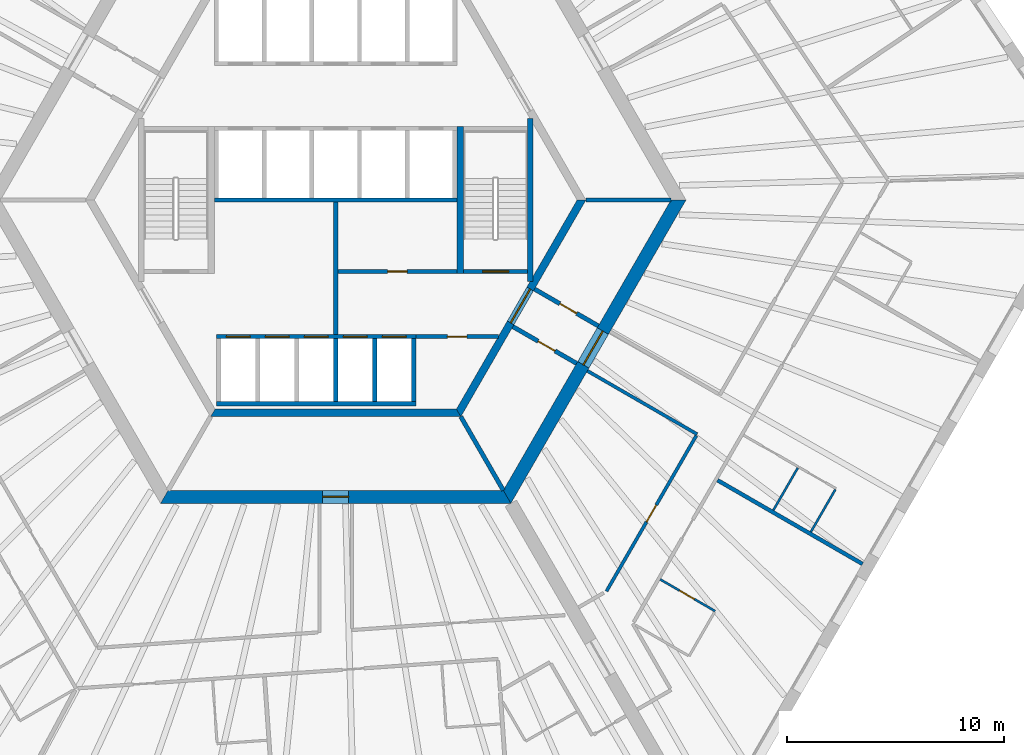
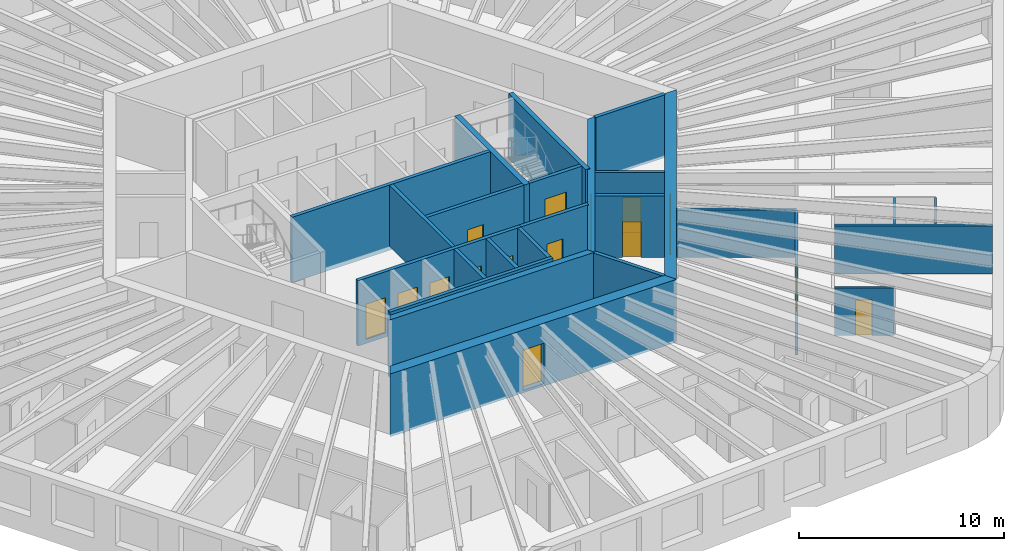
# One storey, part 5 of 12: 26 walls, 15 doors, 15 openings.
"""IFC4 building model written with IfcOpenShell, lengths in metres."""

from ifc_helpers import new_model, si_unit, direction, frame, frame_2d, origin, place, context, subcontext, project, spatial, polyline, rectangle, outline, extrude, material, layer, layer_set, type_object, element, fill, save


model = new_model("IFC4")

# Units and contexts
model_context = context("Model", 3, precision=1e-05, world=origin(), true_north=direction((0.0, 1.0)))
body_context = subcontext(model_context, "Body", "Model", "MODEL_VIEW")
ifc_project = project(units=[si_unit("LENGTHUNIT", "METRE"), si_unit("AREAUNIT", "SQUARE_METRE"), si_unit("VOLUMEUNIT", "CUBIC_METRE"), si_unit("PLANEANGLEUNIT", "RADIAN"), si_unit("MASSUNIT", "GRAM", prefix="KILO")], contexts=[model_context])

# Site, building, storey
site_placement = place(None, origin())
site = spatial("IfcSite", under=ifc_project, at=site_placement, CompositionType="ELEMENT")
building_placement = place(site_placement, origin())
building = spatial("IfcBuilding", under=site, at=building_placement, Name="Tarnside Tower", CompositionType="ELEMENT")
storey_placement = place(building_placement, frame((0.0, 0.0, 142.800048828125)))
storey = spatial("IfcBuildingStorey", under=building, at=storey_placement, Name="L33", CompositionType="ELEMENT", Elevation=142.800048828125)

# Wall, opening, door
ifc_material_1 = material(Name="Gypsum board partition on steel studs", Category="steel")
ifc_layer_1 = layer(ifc_material_1, 0.10009765625)
ifc_layer_set_1 = layer_set([ifc_layer_1], Name="Bathroom wall 100")
wall_type_1 = type_object("IfcWallType", Name="Bathroom wall 100", PredefinedType="PARTITIONING", material=ifc_layer_set_1)
wall_1_placement = place(storey_placement, frame((14.97705078125, -17.509033203125, 0.0), z_axis=(0.0, 0.0, 1.0), x_axis=(0.866046596414, -0.499963291492, 0.0)))
wall_1 = element("IfcWall", 1, at=wall_1_placement, inside=storey, type_object=wall_type_1, Name="Bathroom wall 10132", PredefinedType="PARTITIONING", context=body_context, shape_type="SweptSolid", body=[
    extrude(rectangle(XDim=2.925048828125, YDim=0.10009765625, at=frame_2d((1.46240234375, 0.0))), origin(), (0.0, 0.0, 1.0), 2.837646484375),
])
opening_1_placement = place(wall_1_placement, frame((1.02490234375, 0.0, 0.0)))
opening_1 = element("IfcOpeningElement", 2, at=opening_1_placement, cuts=wall_1, Name="Opening D-B1", PredefinedType="OPENING", context=body_context, shape_type="SweptSolid", body=[
    extrude(rectangle(XDim=0.800048828125, YDim=2.10009765625, at=frame_2d((0.39990234375, 1.050048828125))), frame((0.0, 0.06005859375, 0.0), z_axis=(0.0, -1.0, 0.0), x_axis=(1.0, 0.0, 0.0)), (0.0, 0.0, 1.0), 0.1201171875),
])
ifc_material_2 = material(Name="Timber door leaf", Category="wood")
door_type_1 = type_object("IfcDoorType", Name="Bathroom door 800", OperationType="NOTDEFINED", PredefinedType="DOOR", material=ifc_material_2)
door_1_placement = place(opening_1_placement, origin())
door_1 = element("IfcDoor", 3, at=door_1_placement, inside=storey, type_object=door_type_1, Name="Bathroom door 10030", OperationType="SINGLE_SWING_RIGHT", OverallHeight=2.10009765625, OverallWidth=0.800048828125, PredefinedType="DOOR", context=body_context, shape_type="SweptSolid", body=[
    extrude(rectangle(XDim=0.800048828125, YDim=2.10009765625, at=frame_2d((0.39990234375, 1.050048828125))), frame((0.0, 0.02490234375, 0.0), z_axis=(0.0, -1.0, 0.0), x_axis=(1.0, 0.0, 0.0)), (0.0, 0.0, 1.0), 0.050048828125),
])
fill(opening_1, door_1)

# Walls
wall_2_placement = place(storey_placement, frame((20.197998046875, -14.31591796875, 0.0), z_axis=(0.0, 0.0, 1.0), x_axis=(0.500031020067, 0.8660074936, 0.0)))
element("IfcWall", 4, at=wall_2_placement, inside=storey, type_object=wall_type_1, Name="Bathroom wall 10143", PredefinedType="PARTITIONING", context=body_context, shape_type="SweptSolid", body=[
    extrude(rectangle(XDim=2.260009765625, YDim=0.10009765625, at=frame_2d((1.1298828125, 0.0))), origin(), (0.0, 0.0, 1.0), 2.837646484375),
])
ifc_material_3 = material(Name="Concrete C50/60", Category="concrete")
ifc_layer_2 = layer(ifc_material_3, 0.35009765625)
ifc_layer_set_2 = layer_set([ifc_layer_2], Name="Core block wall 350 C50/60")
wall_type_2 = type_object("IfcWallType", Name="Core block wall 350 C50/60", PredefinedType="SHEAR", material=ifc_layer_set_2)
wall_3_placement = place(storey_placement, frame((-5.672607421875, -9.824951171875, -0.150146484375), z_axis=(0.0, 0.0, 1.0), x_axis=(1.0, 0.0, 0.0)))
element("IfcWall", 5, at=wall_3_placement, inside=storey, type_object=wall_type_2, Name="L33 core block wall face 4", PredefinedType="SHEAR", context=body_context, shape_type="SweptSolid", body=[
    extrude(outline(polyline([(-0.10107421875, -0.175048828125), (11.4462890625, -0.175048828125), (11.244140625, 0.175048828125), (0.10107421875, 0.175048828125), (-0.10107421875, -0.175048828125)])), origin(), (0.0, 0.0, 1.0), 3.75),
])

# Wall, opening, door
wall_4_placement = place(storey_placement, frame((5.672607421875, -9.824951171875, -0.150146484375), z_axis=(0.0, 0.0, 1.0), x_axis=(0.499995046907, 0.866028263435, 0.0)))
wall_4 = element("IfcWall", 6, at=wall_4_placement, inside=storey, type_object=wall_type_2, Name="L33 core block wall face 5", PredefinedType="SHEAR", context=body_context, shape_type="SweptSolid", body=[
    extrude(outline(polyline([(-0.10107421875, -0.175048828125), (11.44580078125, -0.175048828125), (11.24365234375, 0.175048828125), (0.10107421875, 0.175048828125), (-0.10107421875, -0.175048828125)])), origin(), (0.0, 0.0, 1.0), 3.75),
])
opening_2_placement = place(wall_4_placement, frame((4.80126953125, 0.0, 0.14990234375)))
opening_2 = element("IfcOpeningElement", 7, at=opening_2_placement, cuts=wall_4, Name="Opening CD-FFL", PredefinedType="OPENING", context=body_context, shape_type="SweptSolid", body=[
    extrude(rectangle(XDim=1.800048828125, YDim=2.39990234375, at=frame_2d((0.89990234375, 1.199951171875))), frame((0.0, 0.18505859375, 0.0), z_axis=(0.0, -1.0, 0.0), x_axis=(1.0, 0.0, 0.0)), (0.0, 0.0, 1.0), 0.3701171875),
])
ifc_material_4 = material(Name="Steel fire door", Category="steel")
door_type_2 = type_object("IfcDoorType", Name="Firefighting lobby double door FD60S 1800x2400", OperationType="NOTDEFINED", PredefinedType="DOOR", material=ifc_material_4)
door_2_placement = place(opening_2_placement, origin())
door_2 = element("IfcDoor", 8, at=door_2_placement, inside=storey, type_object=door_type_2, Name="L33 lobby block door P4", OperationType="DOUBLE_DOOR_SINGLE_SWING", OverallHeight=2.39990234375, OverallWidth=1.800048828125, PredefinedType="DOOR", context=body_context, shape_type="SweptSolid", body=[
    extrude(rectangle(XDim=1.800048828125, YDim=2.39990234375, at=frame_2d((0.89990234375, 1.199951171875))), frame((0.0, 0.02490234375, 0.0), z_axis=(0.0, -1.0, 0.0), x_axis=(1.0, 0.0, 0.0)), (0.0, 0.0, 1.0), 0.050048828125),
])
fill(opening_2, door_2)

ifc_material_5 = material(Name="Concrete C40/50", Category="concrete")
ifc_layer_3 = layer(ifc_material_5, 0.199951171875)
ifc_layer_set_3 = layer_set([ifc_layer_3], Name="Core room partition 200 C40/50")
wall_type_3 = type_object("IfcWallType", Name="Core room partition 200 C40/50", PredefinedType="PARTITIONING", material=ifc_layer_set_3)
wall_5_placement = place(storey_placement, frame((0.10009765625, -3.300048828125, 0.0), z_axis=(0.0, 0.0, 1.0), x_axis=(1.0, 0.0, 0.0)))
wall_5 = element("IfcWall", 9, at=wall_5_placement, inside=storey, type_object=wall_type_3, Name="L33 core partition R3S1", PredefinedType="PARTITIONING", context=body_context, shape_type="SweptSolid", body=[
    extrude(rectangle(XDim=5.5, YDim=0.199951171875, at=frame_2d((2.75, 0.0))), origin(), (0.0, 0.0, 1.0), 3.64990234375),
])
opening_3_placement = place(wall_5_placement, frame((2.300048828125, 0.0, 0.0)))
opening_3 = element("IfcOpeningElement", 10, at=opening_3_placement, cuts=wall_5, Name="Opening CD-room", PredefinedType="OPENING", context=body_context, shape_type="SweptSolid", body=[
    extrude(rectangle(XDim=0.89990234375, YDim=2.10009765625, at=frame_2d((0.449951171875, 1.050048828125))), frame((0.0, 0.10986328125, 0.0), z_axis=(0.0, -1.0, 0.0), x_axis=(1.0, 0.0, 0.0)), (0.0, 0.0, 1.0), 0.219970703125),
])
door_type_3 = type_object("IfcDoorType", Name="Room door FD60 900x2100", OperationType="NOTDEFINED", PredefinedType="DOOR", material=ifc_material_4)
door_3_placement = place(opening_3_placement, origin())
door_3 = element("IfcDoor", 11, at=door_3_placement, inside=storey, type_object=door_type_3, Name="L33 core room door SR1", OperationType="SINGLE_SWING_LEFT", OverallHeight=2.10009765625, OverallWidth=0.89990234375, PredefinedType="DOOR", context=body_context, shape_type="SweptSolid", body=[
    extrude(rectangle(XDim=0.89990234375, YDim=2.10009765625, at=frame_2d((0.449951171875, 1.050048828125))), frame((0.0, 0.02490234375, 0.0), z_axis=(0.0, -1.0, 0.0), x_axis=(1.0, 0.0, 0.0)), (0.0, 0.0, 1.0), 0.050048828125),
])
fill(opening_3, door_3)

# Wall
wall_6_placement = place(storey_placement, frame((0.0, -6.199951171875, 0.0), z_axis=(0.0, 0.0, 1.0), x_axis=(0.0, 1.0, 0.0)))
element("IfcWall", 12, at=wall_6_placement, inside=storey, type_object=wall_type_3, Name="L33 core partition X0", PredefinedType="PARTITIONING", context=body_context, shape_type="SweptSolid", body=[
    extrude(rectangle(XDim=6.099853515625, YDim=0.199951171875, at=frame_2d((3.0498046875, 0.0))), origin(), (0.0, 0.0, 1.0), 3.64990234375),
])

# Wall, opening, door
wall_7_placement = place(storey_placement, frame((3.699951171875, -6.300048828125, 0.0), z_axis=(0.0, 0.0, 1.0), x_axis=(1.0, 0.0, 0.0)))
wall_7 = element("IfcWall", 13, at=wall_7_placement, inside=storey, type_object=wall_type_3, Name="L33 core partition R4X", PredefinedType="PARTITIONING", context=body_context, shape_type="SweptSolid", body=[
    extrude(rectangle(XDim=3.8056640625, YDim=0.199951171875, at=frame_2d((1.90283203125, 0.0))), origin(), (0.0, 0.0, 1.0), 3.64990234375),
])
opening_4_placement = place(wall_7_placement, frame((1.452880859375, 0.0, 0.0)))
opening_4 = element("IfcOpeningElement", 14, at=opening_4_placement, cuts=wall_7, Name="Opening CD-room", PredefinedType="OPENING", context=body_context, shape_type="SweptSolid", body=[
    extrude(rectangle(XDim=0.89990234375, YDim=2.10009765625, at=frame_2d((0.449951171875, 1.050048828125))), frame((0.0, 0.10986328125, 0.0), z_axis=(0.0, -1.0, 0.0), x_axis=(1.0, 0.0, 0.0)), (0.0, 0.0, 1.0), 0.219970703125),
])
door_4_placement = place(opening_4_placement, origin())
door_4 = element("IfcDoor", 15, at=door_4_placement, inside=storey, type_object=door_type_3, Name="L33 core room door RX", OperationType="SINGLE_SWING_LEFT", OverallHeight=2.10009765625, OverallWidth=0.89990234375, PredefinedType="DOOR", context=body_context, shape_type="SweptSolid", body=[
    extrude(rectangle(XDim=0.89990234375, YDim=2.10009765625, at=frame_2d((0.449951171875, 1.050048828125))), frame((0.0, 0.02490234375, 0.0), z_axis=(0.0, -1.0, 0.0), x_axis=(1.0, 0.0, 0.0)), (0.0, 0.0, 1.0), 0.050048828125),
])
fill(opening_4, door_4)

wall_8_placement = place(storey_placement, frame((9.1748046875, -4.10888671875, 0.0), z_axis=(0.0, 0.0, 1.0), x_axis=(0.865989465428, -0.500062241894, 0.0)))
wall_8 = element("IfcWall", 16, at=wall_8_placement, inside=storey, type_object=wall_type_3, Name="L33 core partition AC4L", PredefinedType="PARTITIONING", context=body_context, shape_type="SweptSolid", body=[
    extrude(rectangle(XDim=3.39990234375, YDim=0.199951171875, at=frame_2d((1.699951171875, 0.0))), origin(), (0.0, 0.0, 1.0), 3.64990234375),
])
opening_5_placement = place(wall_8_placement, frame((1.3505859375, 0.0, 0.0)))
opening_5 = element("IfcOpeningElement", 17, at=opening_5_placement, cuts=wall_8, Name="Opening CD-room", PredefinedType="OPENING", context=body_context, shape_type="SweptSolid", body=[
    extrude(rectangle(XDim=0.89990234375, YDim=2.10009765625, at=frame_2d((0.449951171875, 1.050048828125))), frame((0.0, 0.10986328125, 0.0), z_axis=(0.0, -1.0, 0.0), x_axis=(1.0, 0.0, 0.0)), (0.0, 0.0, 1.0), 0.219970703125),
])
door_5_placement = place(opening_5_placement, origin())
door_5 = element("IfcDoor", 18, at=door_5_placement, inside=storey, type_object=door_type_3, Name="L33 core room door AX4L", OperationType="SINGLE_SWING_LEFT", OverallHeight=2.10009765625, OverallWidth=0.89990234375, PredefinedType="DOOR", context=body_context, shape_type="SweptSolid", body=[
    extrude(rectangle(XDim=0.89990234375, YDim=2.10009765625, at=frame_2d((0.449951171875, 1.050048828125))), frame((0.0, 0.02490234375, 0.0), z_axis=(0.0, -1.0, 0.0), x_axis=(1.0, 0.0, 0.0)), (0.0, 0.0, 1.0), 0.050048828125),
])
fill(opening_5, door_5)

wall_9_placement = place(storey_placement, frame((8.1748046875, -5.841064453125, 0.0), z_axis=(0.0, 0.0, 1.0), x_axis=(0.866020560687, -0.500008388397, 0.0)))
wall_9 = element("IfcWall", 19, at=wall_9_placement, inside=storey, type_object=wall_type_3, Name="L33 core partition AC4R", PredefinedType="PARTITIONING", context=body_context, shape_type="SweptSolid", body=[
    extrude(rectangle(XDim=3.39990234375, YDim=0.199951171875, at=frame_2d((1.699951171875, 0.0))), origin(), (0.0, 0.0, 1.0), 3.64990234375),
])
opening_6_placement = place(wall_9_placement, frame((1.349609375, 0.0, 0.0)))
opening_6 = element("IfcOpeningElement", 20, at=opening_6_placement, cuts=wall_9, Name="Opening CD-room", PredefinedType="OPENING", context=body_context, shape_type="SweptSolid", body=[
    extrude(rectangle(XDim=0.89990234375, YDim=2.10009765625, at=frame_2d((0.449951171875, 1.050048828125))), frame((0.0, 0.10986328125, 0.0), z_axis=(0.0, -1.0, 0.0), x_axis=(1.0, 0.0, 0.0)), (0.0, 0.0, 1.0), 0.219970703125),
])
door_6_placement = place(opening_6_placement, origin())
door_6 = element("IfcDoor", 21, at=door_6_placement, inside=storey, type_object=door_type_3, Name="L33 core room door AX4R", OperationType="SINGLE_SWING_LEFT", OverallHeight=2.10009765625, OverallWidth=0.89990234375, PredefinedType="DOOR", context=body_context, shape_type="SweptSolid", body=[
    extrude(rectangle(XDim=0.89990234375, YDim=2.10009765625, at=frame_2d((0.449951171875, 1.050048828125))), frame((0.0, 0.02490234375, 0.0), z_axis=(0.0, -1.0, 0.0), x_axis=(1.0, 0.0, 0.0)), (0.0, 0.0, 1.0), 0.050048828125),
])
fill(opening_6, door_6)

ifc_material_6 = material(Name="Concrete C80/95", Category="concrete")
ifc_layer_4 = layer(ifc_material_6, 0.60009765625)
ifc_layer_set_4 = layer_set([ifc_layer_4], Name="Core wall Z1 600 C80/95")
wall_type_4 = type_object("IfcWallType", Name="Core wall Z1 600 C80/95", PredefinedType="SHEAR", material=ifc_layer_set_4)
wall_10_placement = place(storey_placement, frame((-7.90966796875, -13.699951171875, -0.150146484375), z_axis=(0.0, 0.0, 1.0), x_axis=(1.0, 0.0, 0.0)))
wall_10 = element("IfcWall", 22, at=wall_10_placement, inside=storey, type_object=wall_type_4, Name="L33 core wall face 4", PredefinedType="SHEAR", context=body_context, shape_type="SweptSolid", body=[
    extrude(outline(polyline([(-0.17333984375, -0.300048828125), (15.99267578125, -0.300048828125), (15.64599609375, 0.300048828125), (0.17333984375, 0.300048828125), (-0.17333984375, -0.300048828125)])), origin(), (0.0, 0.0, 1.0), 3.75),
])
opening_7_placement = place(wall_10_placement, frame((7.309814453125, 0.0, 0.14990234375)))
opening_7 = element("IfcOpeningElement", 23, at=opening_7_placement, cuts=wall_10, Name="Opening CD-RSR", PredefinedType="OPENING", context=body_context, shape_type="SweptSolid", body=[
    extrude(rectangle(XDim=1.199951171875, YDim=2.39990234375, at=frame_2d((0.60009765625, 1.199951171875))), frame((0.0, 0.31005859375, 0.0), z_axis=(0.0, -1.0, 0.0), x_axis=(1.0, 0.0, 0.0)), (0.0, 0.0, 1.0), 0.6201171875),
])
door_type_4 = type_object("IfcDoorType", Name="Riser door FD60 1200x2400", OperationType="NOTDEFINED", PredefinedType="DOOR", material=ifc_material_4)
door_7_placement = place(opening_7_placement, origin())
door_7 = element("IfcDoor", 24, at=door_7_placement, inside=storey, type_object=door_type_4, Name="L33 core door S6", OperationType="SINGLE_SWING_LEFT", OverallHeight=2.39990234375, OverallWidth=1.199951171875, PredefinedType="DOOR", context=body_context, shape_type="SweptSolid", body=[
    extrude(rectangle(XDim=1.199951171875, YDim=2.39990234375, at=frame_2d((0.60009765625, 1.199951171875))), frame((0.0, 0.02490234375, 0.0), z_axis=(0.0, -1.0, 0.0), x_axis=(1.0, 0.0, 0.0)), (0.0, 0.0, 1.0), 0.050048828125),
])
fill(opening_7, door_7)

wall_11_placement = place(storey_placement, frame((7.90966796875, -13.699951171875, -0.150146484375), z_axis=(0.0, 0.0, 1.0), x_axis=(0.499999880136, 0.866025472988, 0.0)))
wall_11 = element("IfcWall", 25, at=wall_11_placement, inside=storey, type_object=wall_type_4, Name="L33 core wall face 5", PredefinedType="SHEAR", context=body_context, shape_type="SweptSolid", body=[
    extrude(outline(polyline([(-0.17333984375, -0.300048828125), (15.99267578125, -0.300048828125), (15.64599609375, 0.300048828125), (0.17333984375, 0.300048828125), (-0.17333984375, -0.300048828125)])), origin(), (0.0, 0.0, 1.0), 3.75),
])
opening_8_placement = place(wall_11_placement, frame((7.03857421875, 0.0, 0.14990234375)))
opening_8 = element("IfcOpeningElement", 26, at=opening_8_placement, cuts=wall_11, Name="Opening CD-FFL", PredefinedType="OPENING", context=body_context, shape_type="SweptSolid", body=[
    extrude(rectangle(XDim=1.800048828125, YDim=2.39990234375, at=frame_2d((0.89990234375, 1.199951171875))), frame((0.0, 0.31005859375, 0.0), z_axis=(0.0, -1.0, 0.0), x_axis=(1.0, 0.0, 0.0)), (0.0, 0.0, 1.0), 0.6201171875),
])
door_8_placement = place(opening_8_placement, origin())
door_8 = element("IfcDoor", 27, at=door_8_placement, inside=storey, type_object=door_type_2, Name="L33 core door P4", OperationType="DOUBLE_DOOR_SINGLE_SWING", OverallHeight=2.39990234375, OverallWidth=1.800048828125, PredefinedType="DOOR", context=body_context, shape_type="SweptSolid", body=[
    extrude(rectangle(XDim=1.800048828125, YDim=2.39990234375, at=frame_2d((0.89990234375, 1.199951171875))), frame((0.0, 0.02490234375, 0.0), z_axis=(0.0, -1.0, 0.0), x_axis=(1.0, 0.0, 0.0)), (0.0, 0.0, 1.0), 0.050048828125),
])
fill(opening_8, door_8)

# Wall
ifc_layer_5 = layer(ifc_material_1, 0.14990234375)
ifc_layer_set_5 = layer_set([ifc_layer_5], Name="Corridor wall 150 EI 60")
wall_type_5 = type_object("IfcWallType", Name="Corridor wall 150 EI 60", PredefinedType="PARTITIONING", material=ifc_layer_set_5)
wall_12_placement = place(storey_placement, frame((11.61376953125, -7.88427734375, 0.0), z_axis=(0.0, 0.0, 1.0), x_axis=(0.866018092707, -0.500012662943, 0.0)))
element("IfcWall", 28, at=wall_12_placement, inside=storey, type_object=wall_type_5, Name="Corridor wall 10071", PredefinedType="PARTITIONING", context=body_context, shape_type="SweptSolid", body=[
    extrude(rectangle(XDim=5.849853515625, YDim=0.14990234375, at=frame_2d((2.9248046875, 0.0))), origin(), (0.0, 0.0, 1.0), 2.837646484375),
])

# Wall, opening, door
wall_13_placement = place(storey_placement, frame((16.642578125, -10.874267578125, 0.0), z_axis=(0.0, 0.0, 1.0), x_axis=(-0.50000192383, -0.866024293058, 0.0)))
wall_13 = element("IfcWall", 29, at=wall_13_placement, inside=storey, type_object=wall_type_5, Name="Corridor wall 10072", PredefinedType="PARTITIONING", context=body_context, shape_type="SweptSolid", body=[
    extrude(rectangle(XDim=8.29296875, YDim=0.14990234375, at=frame_2d((4.146484375, 0.0))), origin(), (0.0, 0.0, 1.0), 2.837646484375),
])
opening_9_placement = place(wall_13_placement, frame((3.696533203125, 0.0, 0.0)))
opening_9 = element("IfcOpeningElement", 30, at=opening_9_placement, cuts=wall_13, Name="Opening D-S1", PredefinedType="OPENING", context=body_context, shape_type="SweptSolid", body=[
    extrude(rectangle(XDim=0.89990234375, YDim=2.10009765625, at=frame_2d((0.449951171875, 1.050048828125))), frame((0.0, 0.0849609375, 0.0), z_axis=(0.0, -1.0, 0.0), x_axis=(1.0, 0.0, 0.0)), (0.0, 0.0, 1.0), 0.169921875),
])
door_type_5 = type_object("IfcDoorType", Name="Service room door 900 FD30S", OperationType="NOTDEFINED", PredefinedType="DOOR", material=ifc_material_2)
door_9_placement = place(opening_9_placement, origin())
door_9 = element("IfcDoor", 31, at=door_9_placement, inside=storey, type_object=door_type_5, Name="Service door 10049", OperationType="SINGLE_SWING_RIGHT", OverallHeight=2.10009765625, OverallWidth=0.89990234375, PredefinedType="DOOR", context=body_context, shape_type="SweptSolid", body=[
    extrude(rectangle(XDim=0.89990234375, YDim=2.10009765625, at=frame_2d((0.449951171875, 1.050048828125))), frame((0.0, 0.02490234375, 0.0), z_axis=(0.0, -1.0, 0.0), x_axis=(1.0, 0.0, 0.0)), (0.0, 0.0, 1.0), 0.050048828125),
])
fill(opening_9, door_9)

# Walls
ifc_layer_6 = layer(ifc_material_1, 0.179931640625)
ifc_layer_set_6 = layer_set([ifc_layer_6], Name="Demising wall 180 EI 60")
wall_type_6 = type_object("IfcWallType", Name="Demising wall 180 EI 60", PredefinedType="PARTITIONING", material=ifc_layer_set_6)
wall_14_placement = place(storey_placement, frame((24.31005859375, -16.7939453125, 0.0), z_axis=(0.0, 0.0, 1.0), x_axis=(-0.866027174938, 0.499996932259, 0.0)))
element("IfcWall", 32, at=wall_14_placement, inside=storey, type_object=wall_type_6, Name="Demising wall 10135", PredefinedType="PARTITIONING", context=body_context, shape_type="SweptSolid", body=[
    extrude(rectangle(XDim=7.72509765625, YDim=0.179931640625, at=frame_2d((3.862548828125, 0.0))), origin(), (0.0, 0.0, 1.0), 2.837646484375),
])
ifc_layer_7 = layer(ifc_material_5, 0.199951171875)
ifc_layer_set_7 = layer_set([ifc_layer_7], Name="Lift shaft wall 200 C40/50")
wall_type_7 = type_object("IfcWallType", Name="Lift shaft wall 200 C40/50", PredefinedType="SHEAR", material=ifc_layer_set_7)
wall_15_placement = place(storey_placement, frame((-5.60009765625, 0.0, -0.25), z_axis=(0.0, 0.0, 1.0), x_axis=(1.0, 0.0, 0.0)))
element("IfcWall", 33, at=wall_15_placement, inside=storey, type_object=wall_type_7, Name="L33 lift shaft back wall R2", PredefinedType="SHEAR", context=body_context, shape_type="SweptSolid", body=[
    extrude(rectangle(XDim=11.2001953125, YDim=0.199951171875, at=frame_2d((5.60009765625, 0.0))), origin(), (0.0, 0.0, 1.0), 3.89990234375),
])

# Wall, openings, doors
wall_16_placement = place(storey_placement, frame((-5.5, -6.300048828125, -0.25), z_axis=(0.0, 0.0, 1.0), x_axis=(1.0, 0.0, 0.0)))
wall_16 = element("IfcWall", 34, at=wall_16_placement, inside=storey, type_object=wall_type_7, Name="L33 lift shaft front wall R4", PredefinedType="SHEAR", context=body_context, shape_type="SweptSolid", body=[
    extrude(rectangle(XDim=9.199951171875, YDim=0.199951171875, at=frame_2d((4.60009765625, 0.0))), origin(), (0.0, 0.0, 1.0), 3.89990234375),
])
opening_10_placement = place(wall_16_placement, frame((0.449951171875, 0.0, 0.25)))
opening_10 = element("IfcOpeningElement", 35, at=opening_10_placement, cuts=wall_16, Name="Opening LDF", PredefinedType="OPENING", context=body_context, shape_type="SweptSolid", body=[
    extrude(rectangle(XDim=1.10009765625, YDim=2.10009765625, at=frame_2d((0.550048828125, 1.050048828125))), frame((0.0, 0.10986328125, 0.0), z_axis=(0.0, -1.0, 0.0), x_axis=(1.0, 0.0, 0.0)), (0.0, 0.0, 1.0), 0.219970703125),
])
opening_11_placement = place(wall_16_placement, frame((2.25, 0.0, 0.25)))
opening_11 = element("IfcOpeningElement", 36, at=opening_11_placement, cuts=wall_16, Name="Opening LDF", PredefinedType="OPENING", context=body_context, shape_type="SweptSolid", body=[
    extrude(rectangle(XDim=1.10009765625, YDim=2.10009765625, at=frame_2d((0.550048828125, 1.050048828125))), frame((0.0, 0.10986328125, 0.0), z_axis=(0.0, -1.0, 0.0), x_axis=(1.0, 0.0, 0.0)), (0.0, 0.0, 1.0), 0.219970703125),
])
opening_12_placement = place(wall_16_placement, frame((4.050048828125, 0.0, 0.25)))
opening_12 = element("IfcOpeningElement", 37, at=opening_12_placement, cuts=wall_16, Name="Opening LDF", PredefinedType="OPENING", context=body_context, shape_type="SweptSolid", body=[
    extrude(rectangle(XDim=1.10009765625, YDim=2.10009765625, at=frame_2d((0.550048828125, 1.050048828125))), frame((0.0, 0.10986328125, 0.0), z_axis=(0.0, -1.0, 0.0), x_axis=(1.0, 0.0, 0.0)), (0.0, 0.0, 1.0), 0.219970703125),
])
opening_13_placement = place(wall_16_placement, frame((5.85009765625, 0.0, 0.25)))
opening_13 = element("IfcOpeningElement", 38, at=opening_13_placement, cuts=wall_16, Name="Opening LDF", PredefinedType="OPENING", context=body_context, shape_type="SweptSolid", body=[
    extrude(rectangle(XDim=1.10009765625, YDim=2.10009765625, at=frame_2d((0.550048828125, 1.050048828125))), frame((0.0, 0.10986328125, 0.0), z_axis=(0.0, -1.0, 0.0), x_axis=(1.0, 0.0, 0.0)), (0.0, 0.0, 1.0), 0.219970703125),
])
opening_14_placement = place(wall_16_placement, frame((7.64990234375, 0.0, 0.25)))
opening_14 = element("IfcOpeningElement", 39, at=opening_14_placement, cuts=wall_16, Name="Opening LDF", PredefinedType="OPENING", context=body_context, shape_type="SweptSolid", body=[
    extrude(rectangle(XDim=1.10009765625, YDim=2.10009765625, at=frame_2d((0.550048828125, 1.050048828125))), frame((0.0, 0.10986328125, 0.0), z_axis=(0.0, -1.0, 0.0), x_axis=(1.0, 0.0, 0.0)), (0.0, 0.0, 1.0), 0.219970703125),
])
ifc_material_7 = material(Name="Stainless steel", Category="steel")
door_type_6 = type_object("IfcDoorType", Name="Lift landing door 1100x2100 EI 120", OperationType="NOTDEFINED", PredefinedType="DOOR", material=ifc_material_7)
door_10_placement = place(opening_10_placement, origin())
door_10 = element("IfcDoor", 40, at=door_10_placement, inside=storey, type_object=door_type_6, Name="Firefighting lift 1 landing door L33", OperationType="SLIDING_TO_LEFT", OverallHeight=2.10009765625, OverallWidth=1.10009765625, PredefinedType="DOOR", context=body_context, shape_type="SweptSolid", body=[
    extrude(rectangle(XDim=1.10009765625, YDim=2.10009765625, at=frame_2d((0.550048828125, 1.050048828125))), frame((0.0, 0.02490234375, 0.0), z_axis=(0.0, -1.0, 0.0), x_axis=(1.0, 0.0, 0.0)), (0.0, 0.0, 1.0), 0.050048828125),
])
fill(opening_10, door_10)
door_11_placement = place(opening_11_placement, origin())
door_11 = element("IfcDoor", 41, at=door_11_placement, inside=storey, type_object=door_type_6, Name="Firefighting lift 2 landing door L33", OperationType="SLIDING_TO_LEFT", OverallHeight=2.10009765625, OverallWidth=1.10009765625, PredefinedType="DOOR", context=body_context, shape_type="SweptSolid", body=[
    extrude(rectangle(XDim=1.10009765625, YDim=2.10009765625, at=frame_2d((0.550048828125, 1.050048828125))), frame((0.0, 0.02490234375, 0.0), z_axis=(0.0, -1.0, 0.0), x_axis=(1.0, 0.0, 0.0)), (0.0, 0.0, 1.0), 0.050048828125),
])
fill(opening_11, door_11)
door_12_placement = place(opening_12_placement, origin())
door_12 = element("IfcDoor", 42, at=door_12_placement, inside=storey, type_object=door_type_6, Name="Firefighting lift 3 landing door L33", OperationType="SLIDING_TO_LEFT", OverallHeight=2.10009765625, OverallWidth=1.10009765625, PredefinedType="DOOR", context=body_context, shape_type="SweptSolid", body=[
    extrude(rectangle(XDim=1.10009765625, YDim=2.10009765625, at=frame_2d((0.550048828125, 1.050048828125))), frame((0.0, 0.02490234375, 0.0), z_axis=(0.0, -1.0, 0.0), x_axis=(1.0, 0.0, 0.0)), (0.0, 0.0, 1.0), 0.050048828125),
])
fill(opening_12, door_12)
door_13_placement = place(opening_13_placement, origin())
door_13 = element("IfcDoor", 43, at=door_13_placement, inside=storey, type_object=door_type_6, Name="Firefighting lift 4 landing door L33", OperationType="SLIDING_TO_LEFT", OverallHeight=2.10009765625, OverallWidth=1.10009765625, PredefinedType="DOOR", context=body_context, shape_type="SweptSolid", body=[
    extrude(rectangle(XDim=1.10009765625, YDim=2.10009765625, at=frame_2d((0.550048828125, 1.050048828125))), frame((0.0, 0.02490234375, 0.0), z_axis=(0.0, -1.0, 0.0), x_axis=(1.0, 0.0, 0.0)), (0.0, 0.0, 1.0), 0.050048828125),
])
fill(opening_13, door_13)
door_14_placement = place(opening_14_placement, origin())
door_14 = element("IfcDoor", 44, at=door_14_placement, inside=storey, type_object=door_type_6, Name="Firefighting lift 5 landing door L33", OperationType="SLIDING_TO_LEFT", OverallHeight=2.10009765625, OverallWidth=1.10009765625, PredefinedType="DOOR", context=body_context, shape_type="SweptSolid", body=[
    extrude(rectangle(XDim=1.10009765625, YDim=2.10009765625, at=frame_2d((0.550048828125, 1.050048828125))), frame((0.0, 0.02490234375, 0.0), z_axis=(0.0, -1.0, 0.0), x_axis=(1.0, 0.0, 0.0)), (0.0, 0.0, 1.0), 0.050048828125),
])
fill(opening_14, door_14)

# Walls
wall_17_placement = place(storey_placement, frame((-5.5, -9.39990234375, -0.25), z_axis=(0.0, 0.0, 1.0), x_axis=(1.0, 0.0, 0.0)))
element("IfcWall", 45, at=wall_17_placement, inside=storey, type_object=wall_type_7, Name="L33 lift shaft back wall R4", PredefinedType="SHEAR", context=body_context, shape_type="SweptSolid", body=[
    extrude(rectangle(XDim=9.199951171875, YDim=0.199951171875, at=frame_2d((4.60009765625, 0.0))), origin(), (0.0, 0.0, 1.0), 3.89990234375),
])
for number, where, z_axis, x_axis, name in (
    (46, (0.0, -9.300048828125, -0.25), (0.0, 0.0, 1.0), (0.0, 1.0, 0.0), "L33 lift shaft partition R44"),
    (47, (1.800048828125, -9.300048828125, -0.25), (0.0, 0.0, 1.0), (0.0, 1.0, 0.0), "L33 lift shaft partition R45"),
    (48, (3.60009765625, -9.300048828125, -0.25), (0.0, 0.0, 1.0), (0.0, 1.0, 0.0), "L33 lift shaft partition R46"),
):
    element("IfcWall", number, at=place(storey_placement, frame(where, z_axis=z_axis, x_axis=x_axis)), inside=storey, type_object=wall_type_7, Name=name, PredefinedType="SHEAR", context=body_context, shape_type="SweptSolid", body=[
        extrude(rectangle(XDim=2.900146484375, YDim=0.199951171875, at=frame_2d((1.4501953125, 0.0))), origin(), (0.0, 0.0, 1.0), 3.89990234375),
    ])
wall_18_placement = place(storey_placement, frame((11.547119140625, 0.0, -0.150146484375), z_axis=(0.0, 0.0, 1.0), x_axis=(1.0, 0.0, 0.0)))
element("IfcWall", 49, at=wall_18_placement, inside=storey, type_object=wall_type_7, Name="L33 core partition AR0", PredefinedType="SHEAR", context=body_context, shape_type="SweptSolid", body=[
    extrude(rectangle(XDim=3.92578125, YDim=0.199951171875, at=frame_2d((1.962890625, 0.0))), origin(), (0.0, 0.0, 1.0), 3.75),
])
wall_19_placement = place(storey_placement, frame((5.7734375, -10.0, -0.150146484375), z_axis=(0.0, 0.0, 1.0), x_axis=(0.500038251005, -0.86600331843, 0.0)))
element("IfcWall", 50, at=wall_19_placement, inside=storey, type_object=wall_type_7, Name="L33 core partition AR300", PredefinedType="SHEAR", context=body_context, shape_type="SweptSolid", body=[
    extrude(rectangle(XDim=3.926025390625, YDim=0.199951171875, at=frame_2d((1.962890625, 0.0))), origin(), (0.0, 0.0, 1.0), 3.75),
])

# Wall, opening, door
wall_20_placement = place(storey_placement, frame((5.89990234375, -3.300048828125, -0.25), z_axis=(0.0, 0.0, 1.0), x_axis=(1.0, 0.0, 0.0)))
wall_20 = element("IfcWall", 51, at=wall_20_placement, inside=storey, type_object=wall_type_7, Name="L33 stair 1 enclosure cap wall s", PredefinedType="SHEAR", context=body_context, shape_type="SweptSolid", body=[
    extrude(rectangle(XDim=2.9501953125, YDim=0.199951171875, at=frame_2d((1.47509765625, 0.0))), origin(), (0.0, 0.0, 1.0), 3.89990234375),
])
opening_15_placement = place(wall_20_placement, frame((0.875, 0.0, 0.25)))
opening_15 = element("IfcOpeningElement", 52, at=opening_15_placement, cuts=wall_20, Name="Opening CD-STR", PredefinedType="OPENING", context=body_context, shape_type="SweptSolid", body=[
    extrude(rectangle(XDim=1.199951171875, YDim=2.39990234375, at=frame_2d((0.60009765625, 1.199951171875))), frame((0.0, 0.10986328125, 0.0), z_axis=(0.0, -1.0, 0.0), x_axis=(1.0, 0.0, 0.0)), (0.0, 0.0, 1.0), 0.219970703125),
])
door_type_7 = type_object("IfcDoorType", Name="Stair door FD60S 1200x2400", OperationType="NOTDEFINED", PredefinedType="DOOR", material=ifc_material_4)
door_15_placement = place(opening_15_placement, origin())
door_15 = element("IfcDoor", 53, at=door_15_placement, inside=storey, type_object=door_type_7, Name="L33 stair 1 door", OperationType="SINGLE_SWING_LEFT", OverallHeight=2.39990234375, OverallWidth=1.199951171875, PredefinedType="DOOR", context=body_context, shape_type="SweptSolid", body=[
    extrude(rectangle(XDim=1.199951171875, YDim=2.39990234375, at=frame_2d((0.60009765625, 1.199951171875))), frame((0.0, 0.02490234375, 0.0), z_axis=(0.0, -1.0, 0.0), x_axis=(1.0, 0.0, 0.0)), (0.0, 0.0, 1.0), 0.050048828125),
])
fill(opening_15, door_15)

# Walls
ifc_layer_8 = layer(ifc_material_1, 0.10009765625)
ifc_layer_set_8 = layer_set([ifc_layer_8], Name="Partition 100")
wall_type_8 = type_object("IfcWallType", Name="Partition 100", PredefinedType="PARTITIONING", material=ifc_layer_set_8)
wall_21_placement = place(storey_placement, frame((23.06005859375, -13.358642578125, 0.0), z_axis=(0.0, 0.0, 1.0), x_axis=(-0.49995000081, -0.866054268906, 0.0)))
element("IfcWall", 54, at=wall_21_placement, inside=storey, type_object=wall_type_8, Name="Partition wall 10140", PredefinedType="PARTITIONING", context=body_context, shape_type="SweptSolid", body=[
    extrude(rectangle(XDim=2.260009765625, YDim=0.10009765625, at=frame_2d((1.1298828125, 0.0))), origin(), (0.0, 0.0, 1.0), 2.837646484375),
])
ifc_layer_9 = layer(ifc_material_5, 0.25)
ifc_layer_set_9 = layer_set([ifc_layer_9], Name="Stair enclosure wall 250 C40/50")
wall_type_9 = type_object("IfcWallType", Name="Stair enclosure wall 250 C40/50", PredefinedType="SHEAR", material=ifc_layer_set_9)
wall_22_placement = place(storey_placement, frame((8.97509765625, -3.7548828125, -0.25), z_axis=(0.0, 0.0, 1.0), x_axis=(0.0, 1.0, 0.0)))
element("IfcWall", 55, at=wall_22_placement, inside=storey, type_object=wall_type_9, Name="L33 stair 1 enclosure wall outer", PredefinedType="SHEAR", context=body_context, shape_type="SweptSolid", body=[
    extrude(rectangle(XDim=7.509765625, YDim=0.25, at=frame_2d((3.7548828125, 0.0))), origin(), (0.0, 0.0, 1.0), 3.89990234375),
])
ifc_layer_10 = layer(ifc_material_5, 0.300048828125)
ifc_layer_set_10 = layer_set([ifc_layer_10], Name="Stair enclosure wall 300 C40/50")
wall_type_10 = type_object("IfcWallType", Name="Stair enclosure wall 300 C40/50", PredefinedType="SHEAR", material=ifc_layer_set_10)
wall_23_placement = place(storey_placement, frame((5.75, -3.39990234375, -0.25), z_axis=(0.0, 0.0, 1.0), x_axis=(0.0, 1.0, 0.0)))
element("IfcWall", 56, at=wall_23_placement, inside=storey, type_object=wall_type_10, Name="L33 stair 1 enclosure wall inner", PredefinedType="SHEAR", context=body_context, shape_type="SweptSolid", body=[
    extrude(rectangle(XDim=6.7998046875, YDim=0.300048828125, at=frame_2d((3.39990234375, 0.0))), origin(), (0.0, 0.0, 1.0), 3.89990234375),
])

save(model, "model.ifc")
